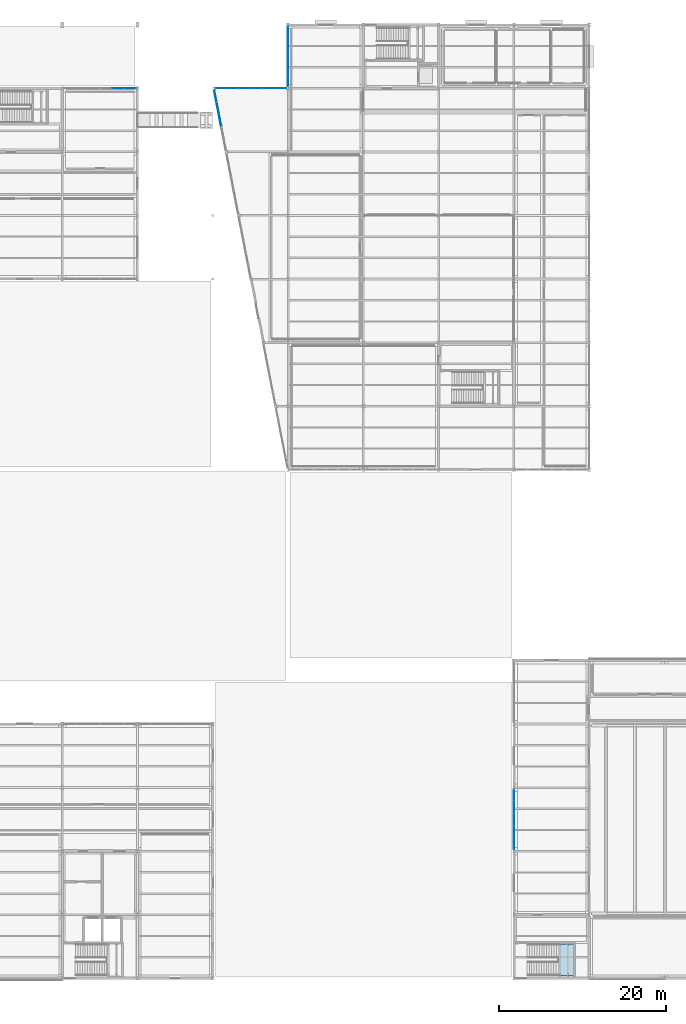
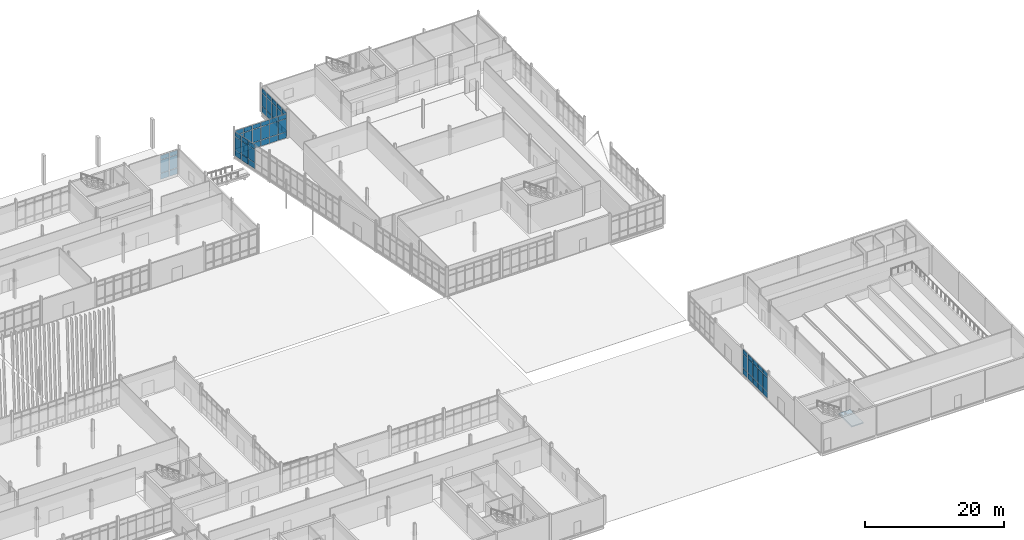
# One storey, part 131 of 161: 63 plates, 1 slab, 6 elements without a shape of their own.
"""IFC4 building model written with IfcOpenShell, lengths in metres."""

from ifc_helpers import new_model, si_unit, direction, frame, origin, origin_2d, place, context, subcontext, project, spatial, polyline, rectangle, outline, extrude, material, layer, layer_set, type_object, element, aggregate, save


model = new_model("IFC4")

# Units and contexts
model_context = context("Model", 3, precision=1e-05, world=origin(), true_north=direction((0.0, 1.0)))
body_context = subcontext(model_context, "Body", "Model", "MODEL_VIEW")
ifc_project = project(units=[si_unit("LENGTHUNIT", "METRE"), si_unit("AREAUNIT", "SQUARE_METRE"), si_unit("VOLUMEUNIT", "CUBIC_METRE"), si_unit("PLANEANGLEUNIT", "RADIAN"), si_unit("MASSUNIT", "GRAM", prefix="KILO")], contexts=[model_context])

# Site, building, storey
site_placement = place(None, origin())
site = spatial("IfcSite", under=ifc_project, at=site_placement, CompositionType="ELEMENT")
building_placement = place(site_placement, origin())
building = spatial("IfcBuilding", under=site, at=building_placement, Name="Caisbarro Railhouse Central Library", CompositionType="ELEMENT")
storey_placement = place(building_placement, origin())
storey = spatial("IfcBuildingStorey", under=building, at=storey_placement, Name="L00", CompositionType="ELEMENT", Elevation=0.0)

# Curtain wall, plates
ifc_material_1 = material(Name="Anodised architectural aluminium", Category="aluminium")
curtain_wall_type_1 = type_object("IfcCurtainWallType", Name="CW-CW01", PredefinedType="NOTDEFINED", material=ifc_material_1)
curtain_wall_1_placement = place(storey_placement, origin())
curtain_wall_1 = element("IfcCurtainWall", 1, at=curtain_wall_1_placement, inside=storey, type_object=curtain_wall_type_1, Name="CW01 curtain wall L00 #86", PredefinedType="NOTDEFINED")
ifc_material_2 = material(Name="Double low-e laminated solar-control glass", Category="glass")
ifc_layer_1 = layer(ifc_material_2, 0.0380859375, Name="Double low-e laminated solar-control glass")
ifc_layer_set_1 = layer_set([ifc_layer_1], Name="Double low-e laminated solar-control glass")
plate_type_1 = type_object("IfcPlateType", Name="CWP-CP38", PredefinedType="CURTAIN_PANEL", material=ifc_layer_set_1)
plate_1_placement = place(storey_placement, frame((144.0, 16.106689453125, 0.0751953125), z_axis=(0.0, 0.0, 1.0), x_axis=(0.0, 1.0, 0.0)))
plate_1 = element("IfcPlate", 2, at=plate_1_placement, type_object=plate_type_1, Name="CW01 panel 1.1", PredefinedType="CURTAIN_PANEL", context=body_context, shape_type="SweptSolid", body=[
    extrude(rectangle(XDim=1.343505859375, YDim=0.0380859375, at=origin_2d()), origin(), (0.0, 0.0, 1.0), 1.007568359375),
])
plate_2_placement = place(storey_placement, frame((144.0, 16.106689453125, 1.1572265625), z_axis=(0.0, 0.0, 1.0), x_axis=(0.0, 1.0, 0.0)))
plate_2 = element("IfcPlate", 3, at=plate_2_placement, type_object=plate_type_1, Name="CW01 panel 1.2", PredefinedType="CURTAIN_PANEL", context=body_context, shape_type="SweptSolid", body=[
    extrude(rectangle(XDim=1.343505859375, YDim=0.0380859375, at=origin_2d()), origin(), (0.0, 0.0, 1.0), 2.445068359375),
])
plate_3_placement = place(storey_placement, frame((144.0, 16.106689453125, 3.67724609375), z_axis=(0.0, 0.0, 1.0), x_axis=(0.0, 1.0, 0.0)))
plate_3 = element("IfcPlate", 4, at=plate_3_placement, type_object=plate_type_1, Name="CW01 panel 1.3", PredefinedType="CURTAIN_PANEL", context=body_context, shape_type="SweptSolid", body=[
    extrude(rectangle(XDim=1.343505859375, YDim=0.0380859375, at=origin_2d()), origin(), (0.0, 0.0, 1.0), 0.737548828125),
])
plate_4_placement = place(storey_placement, frame((144.0, 17.5439453125, 0.0751953125), z_axis=(0.0, 0.0, 1.0), x_axis=(0.0, 1.0, 0.0)))
plate_4 = element("IfcPlate", 5, at=plate_4_placement, type_object=plate_type_1, Name="CW01 panel 2.1", PredefinedType="CURTAIN_PANEL", context=body_context, shape_type="SweptSolid", body=[
    extrude(rectangle(XDim=1.381103515625, YDim=0.0380859375, at=origin_2d()), origin(), (0.0, 0.0, 1.0), 1.007568359375),
])
plate_5_placement = place(storey_placement, frame((144.0, 17.5439453125, 1.1572265625), z_axis=(0.0, 0.0, 1.0), x_axis=(0.0, 1.0, 0.0)))
plate_5 = element("IfcPlate", 6, at=plate_5_placement, type_object=plate_type_1, Name="CW01 panel 2.2", PredefinedType="CURTAIN_PANEL", context=body_context, shape_type="SweptSolid", body=[
    extrude(rectangle(XDim=1.381103515625, YDim=0.0380859375, at=origin_2d()), origin(), (0.0, 0.0, 1.0), 2.445068359375),
])
plate_6_placement = place(storey_placement, frame((144.0, 17.5439453125, 3.67724609375), z_axis=(0.0, 0.0, 1.0), x_axis=(0.0, 1.0, 0.0)))
plate_6 = element("IfcPlate", 7, at=plate_6_placement, type_object=plate_type_1, Name="CW01 panel 2.3", PredefinedType="CURTAIN_PANEL", context=body_context, shape_type="SweptSolid", body=[
    extrude(rectangle(XDim=1.381103515625, YDim=0.0380859375, at=origin_2d()), origin(), (0.0, 0.0, 1.0), 0.737548828125),
])
plate_7_placement = place(storey_placement, frame((144.0, 19.0, 0.0751953125), z_axis=(0.0, 0.0, 1.0), x_axis=(0.0, 1.0, 0.0)))
plate_7 = element("IfcPlate", 8, at=plate_7_placement, type_object=plate_type_1, Name="CW01 panel 3.1", PredefinedType="CURTAIN_PANEL", context=body_context, shape_type="SweptSolid", body=[
    extrude(rectangle(XDim=1.381103515625, YDim=0.0380859375, at=origin_2d()), origin(), (0.0, 0.0, 1.0), 1.007568359375),
])
plate_8_placement = place(storey_placement, frame((144.0, 19.0, 1.1572265625), z_axis=(0.0, 0.0, 1.0), x_axis=(0.0, 1.0, 0.0)))
plate_8 = element("IfcPlate", 9, at=plate_8_placement, type_object=plate_type_1, Name="CW01 panel 3.2", PredefinedType="CURTAIN_PANEL", context=body_context, shape_type="SweptSolid", body=[
    extrude(rectangle(XDim=1.381103515625, YDim=0.0380859375, at=origin_2d()), origin(), (0.0, 0.0, 1.0), 2.445068359375),
])
plate_9_placement = place(storey_placement, frame((144.0, 19.0, 3.67724609375), z_axis=(0.0, 0.0, 1.0), x_axis=(0.0, 1.0, 0.0)))
plate_9 = element("IfcPlate", 10, at=plate_9_placement, type_object=plate_type_1, Name="CW01 panel 3.3", PredefinedType="CURTAIN_PANEL", context=body_context, shape_type="SweptSolid", body=[
    extrude(rectangle(XDim=1.381103515625, YDim=0.0380859375, at=origin_2d()), origin(), (0.0, 0.0, 1.0), 0.737548828125),
])
plate_10_placement = place(storey_placement, frame((144.0, 20.4560546875, 0.0751953125), z_axis=(0.0, 0.0, 1.0), x_axis=(0.0, 1.0, 0.0)))
plate_10 = element("IfcPlate", 11, at=plate_10_placement, type_object=plate_type_1, Name="CW01 panel 4.1", PredefinedType="CURTAIN_PANEL", context=body_context, shape_type="SweptSolid", body=[
    extrude(rectangle(XDim=1.381103515625, YDim=0.0380859375, at=origin_2d()), origin(), (0.0, 0.0, 1.0), 1.007568359375),
])
plate_11_placement = place(storey_placement, frame((144.0, 20.4560546875, 1.1572265625), z_axis=(0.0, 0.0, 1.0), x_axis=(0.0, 1.0, 0.0)))
plate_11 = element("IfcPlate", 12, at=plate_11_placement, type_object=plate_type_1, Name="CW01 panel 4.2", PredefinedType="CURTAIN_PANEL", context=body_context, shape_type="SweptSolid", body=[
    extrude(rectangle(XDim=1.381103515625, YDim=0.0380859375, at=origin_2d()), origin(), (0.0, 0.0, 1.0), 2.445068359375),
])
plate_12_placement = place(storey_placement, frame((144.0, 20.4560546875, 3.67724609375), z_axis=(0.0, 0.0, 1.0), x_axis=(0.0, 1.0, 0.0)))
plate_12 = element("IfcPlate", 13, at=plate_12_placement, type_object=plate_type_1, Name="CW01 panel 4.3", PredefinedType="CURTAIN_PANEL", context=body_context, shape_type="SweptSolid", body=[
    extrude(rectangle(XDim=1.381103515625, YDim=0.0380859375, at=origin_2d()), origin(), (0.0, 0.0, 1.0), 0.737548828125),
])
plate_13_placement = place(storey_placement, frame((144.0, 21.893310546875, 0.0751953125), z_axis=(0.0, 0.0, 1.0), x_axis=(0.0, 1.0, 0.0)))
plate_13 = element("IfcPlate", 14, at=plate_13_placement, type_object=plate_type_1, Name="CW01 panel 5.1", PredefinedType="CURTAIN_PANEL", context=body_context, shape_type="SweptSolid", body=[
    extrude(rectangle(XDim=1.343505859375, YDim=0.0380859375, at=origin_2d()), origin(), (0.0, 0.0, 1.0), 1.007568359375),
])
plate_14_placement = place(storey_placement, frame((144.0, 21.893310546875, 1.1572265625), z_axis=(0.0, 0.0, 1.0), x_axis=(0.0, 1.0, 0.0)))
plate_14 = element("IfcPlate", 15, at=plate_14_placement, type_object=plate_type_1, Name="CW01 panel 5.2", PredefinedType="CURTAIN_PANEL", context=body_context, shape_type="SweptSolid", body=[
    extrude(rectangle(XDim=1.343505859375, YDim=0.0380859375, at=origin_2d()), origin(), (0.0, 0.0, 1.0), 2.445068359375),
])
plate_15_placement = place(storey_placement, frame((144.0, 21.893310546875, 3.67724609375), z_axis=(0.0, 0.0, 1.0), x_axis=(0.0, 1.0, 0.0)))
plate_15 = element("IfcPlate", 16, at=plate_15_placement, type_object=plate_type_1, Name="CW01 panel 5.3", PredefinedType="CURTAIN_PANEL", context=body_context, shape_type="SweptSolid", body=[
    extrude(rectangle(XDim=1.343505859375, YDim=0.0380859375, at=origin_2d()), origin(), (0.0, 0.0, 1.0), 0.737548828125),
])
aggregate(curtain_wall_1, [plate_1, plate_2, plate_3, plate_4, plate_5, plate_6, plate_7, plate_8, plate_9, plate_10, plate_11, plate_12, plate_13, plate_14, plate_15])

curtain_wall_type_2 = type_object("IfcCurtainWallType", Name="CW-CW03", PredefinedType="NOTDEFINED", material=ifc_material_1)
curtain_wall_2_placement = place(storey_placement, origin())
curtain_wall_2 = element("IfcCurtainWall", 17, at=curtain_wall_2_placement, inside=storey, type_object=curtain_wall_type_2, Name="CW03 curtain wall L00 #101", PredefinedType="NOTDEFINED")
plate_16_placement = place(storey_placement, frame((109.024169921875, 106.39990234375, 0.06494140625), z_axis=(0.0, 0.0, 1.0), x_axis=(1.0, 0.0, 0.0)))
plate_16 = element("IfcPlate", 18, at=plate_16_placement, type_object=plate_type_1, Name="CW03 panel 1.1", PredefinedType="CURTAIN_PANEL", context=body_context, shape_type="SweptSolid", body=[
    extrude(rectangle(XDim=1.326416015625, YDim=0.0380859375, at=origin_2d()), origin(), (0.0, 0.0, 1.0), 1.0224609375),
])
plate_17_placement = place(storey_placement, frame((109.024169921875, 106.39990234375, 1.15234375), z_axis=(0.0, 0.0, 1.0), x_axis=(1.0, 0.0, 0.0)))
plate_17 = element("IfcPlate", 19, at=plate_17_placement, type_object=plate_type_1, Name="CW03 panel 1.2", PredefinedType="CURTAIN_PANEL", context=body_context, shape_type="SweptSolid", body=[
    extrude(rectangle(XDim=1.326416015625, YDim=0.0380859375, at=origin_2d()), origin(), (0.0, 0.0, 1.0), 2.264892578125),
])
plate_18_placement = place(storey_placement, frame((109.024169921875, 106.39990234375, 3.482421875), z_axis=(0.0, 0.0, 1.0), x_axis=(1.0, 0.0, 0.0)))
plate_18 = element("IfcPlate", 20, at=plate_18_placement, type_object=plate_type_1, Name="CW03 panel 1.3", PredefinedType="CURTAIN_PANEL", context=body_context, shape_type="SweptSolid", body=[
    extrude(rectangle(XDim=1.326416015625, YDim=0.0380859375, at=origin_2d()), origin(), (0.0, 0.0, 1.0), 0.75244140625),
])
plate_19_placement = place(storey_placement, frame((110.431884765625, 106.39990234375, 0.06494140625), z_axis=(0.0, 0.0, 1.0), x_axis=(1.0, 0.0, 0.0)))
plate_19 = element("IfcPlate", 21, at=plate_19_placement, type_object=plate_type_1, Name="CW03 panel 2.1", PredefinedType="CURTAIN_PANEL", context=body_context, shape_type="SweptSolid", body=[
    extrude(rectangle(XDim=1.35888671875, YDim=0.0380859375, at=origin_2d()), origin(), (0.0, 0.0, 1.0), 1.0224609375),
])
plate_20_placement = place(storey_placement, frame((110.431884765625, 106.39990234375, 1.15234375), z_axis=(0.0, 0.0, 1.0), x_axis=(1.0, 0.0, 0.0)))
plate_20 = element("IfcPlate", 22, at=plate_20_placement, type_object=plate_type_1, Name="CW03 panel 2.2", PredefinedType="CURTAIN_PANEL", context=body_context, shape_type="SweptSolid", body=[
    extrude(rectangle(XDim=1.35888671875, YDim=0.0380859375, at=origin_2d()), origin(), (0.0, 0.0, 1.0), 2.264892578125),
])
plate_21_placement = place(storey_placement, frame((110.431884765625, 106.39990234375, 3.482421875), z_axis=(0.0, 0.0, 1.0), x_axis=(1.0, 0.0, 0.0)))
plate_21 = element("IfcPlate", 23, at=plate_21_placement, type_object=plate_type_1, Name="CW03 panel 2.3", PredefinedType="CURTAIN_PANEL", context=body_context, shape_type="SweptSolid", body=[
    extrude(rectangle(XDim=1.35888671875, YDim=0.0380859375, at=origin_2d()), origin(), (0.0, 0.0, 1.0), 0.75244140625),
])
plate_22_placement = place(storey_placement, frame((111.85595703125, 106.39990234375, 0.06494140625), z_axis=(0.0, 0.0, 1.0), x_axis=(1.0, 0.0, 0.0)))
plate_22 = element("IfcPlate", 24, at=plate_22_placement, type_object=plate_type_1, Name="CW03 panel 3.1", PredefinedType="CURTAIN_PANEL", context=body_context, shape_type="SweptSolid", body=[
    extrude(rectangle(XDim=1.35888671875, YDim=0.0380859375, at=origin_2d()), origin(), (0.0, 0.0, 1.0), 1.0224609375),
])
plate_23_placement = place(storey_placement, frame((111.85595703125, 106.39990234375, 1.15234375), z_axis=(0.0, 0.0, 1.0), x_axis=(1.0, 0.0, 0.0)))
plate_23 = element("IfcPlate", 25, at=plate_23_placement, type_object=plate_type_1, Name="CW03 panel 3.2", PredefinedType="CURTAIN_PANEL", context=body_context, shape_type="SweptSolid", body=[
    extrude(rectangle(XDim=1.35888671875, YDim=0.0380859375, at=origin_2d()), origin(), (0.0, 0.0, 1.0), 2.264892578125),
])
plate_24_placement = place(storey_placement, frame((111.85595703125, 106.39990234375, 3.482421875), z_axis=(0.0, 0.0, 1.0), x_axis=(1.0, 0.0, 0.0)))
plate_24 = element("IfcPlate", 26, at=plate_24_placement, type_object=plate_type_1, Name="CW03 panel 3.3", PredefinedType="CURTAIN_PANEL", context=body_context, shape_type="SweptSolid", body=[
    extrude(rectangle(XDim=1.35888671875, YDim=0.0380859375, at=origin_2d()), origin(), (0.0, 0.0, 1.0), 0.75244140625),
])
plate_25_placement = place(storey_placement, frame((113.280029296875, 106.39990234375, 0.06494140625), z_axis=(0.0, 0.0, 1.0), x_axis=(1.0, 0.0, 0.0)))
plate_25 = element("IfcPlate", 27, at=plate_25_placement, type_object=plate_type_1, Name="CW03 panel 4.1", PredefinedType="CURTAIN_PANEL", context=body_context, shape_type="SweptSolid", body=[
    extrude(rectangle(XDim=1.35888671875, YDim=0.0380859375, at=origin_2d()), origin(), (0.0, 0.0, 1.0), 1.0224609375),
])
plate_26_placement = place(storey_placement, frame((113.280029296875, 106.39990234375, 1.15234375), z_axis=(0.0, 0.0, 1.0), x_axis=(1.0, 0.0, 0.0)))
plate_26 = element("IfcPlate", 28, at=plate_26_placement, type_object=plate_type_1, Name="CW03 panel 4.2", PredefinedType="CURTAIN_PANEL", context=body_context, shape_type="SweptSolid", body=[
    extrude(rectangle(XDim=1.35888671875, YDim=0.0380859375, at=origin_2d()), origin(), (0.0, 0.0, 1.0), 2.264892578125),
])
plate_27_placement = place(storey_placement, frame((113.280029296875, 106.39990234375, 3.482421875), z_axis=(0.0, 0.0, 1.0), x_axis=(1.0, 0.0, 0.0)))
plate_27 = element("IfcPlate", 29, at=plate_27_placement, type_object=plate_type_1, Name="CW03 panel 4.3", PredefinedType="CURTAIN_PANEL", context=body_context, shape_type="SweptSolid", body=[
    extrude(rectangle(XDim=1.35888671875, YDim=0.0380859375, at=origin_2d()), origin(), (0.0, 0.0, 1.0), 0.75244140625),
])
plate_28_placement = place(storey_placement, frame((114.7041015625, 106.39990234375, 0.06494140625), z_axis=(0.0, 0.0, 1.0), x_axis=(1.0, 0.0, 0.0)))
plate_28 = element("IfcPlate", 30, at=plate_28_placement, type_object=plate_type_1, Name="CW03 panel 5.1", PredefinedType="CURTAIN_PANEL", context=body_context, shape_type="SweptSolid", body=[
    extrude(rectangle(XDim=1.35888671875, YDim=0.0380859375, at=origin_2d()), origin(), (0.0, 0.0, 1.0), 1.0224609375),
])
plate_29_placement = place(storey_placement, frame((114.7041015625, 106.39990234375, 1.15234375), z_axis=(0.0, 0.0, 1.0), x_axis=(1.0, 0.0, 0.0)))
plate_29 = element("IfcPlate", 31, at=plate_29_placement, type_object=plate_type_1, Name="CW03 panel 5.2", PredefinedType="CURTAIN_PANEL", context=body_context, shape_type="SweptSolid", body=[
    extrude(rectangle(XDim=1.35888671875, YDim=0.0380859375, at=origin_2d()), origin(), (0.0, 0.0, 1.0), 2.264892578125),
])
plate_30_placement = place(storey_placement, frame((114.7041015625, 106.39990234375, 3.482421875), z_axis=(0.0, 0.0, 1.0), x_axis=(1.0, 0.0, 0.0)))
plate_30 = element("IfcPlate", 32, at=plate_30_placement, type_object=plate_type_1, Name="CW03 panel 5.3", PredefinedType="CURTAIN_PANEL", context=body_context, shape_type="SweptSolid", body=[
    extrude(rectangle(XDim=1.35888671875, YDim=0.0380859375, at=origin_2d()), origin(), (0.0, 0.0, 1.0), 0.75244140625),
])
plate_31_placement = place(storey_placement, frame((116.11181640625, 106.39990234375, 0.06494140625), z_axis=(0.0, 0.0, 1.0), x_axis=(1.0, 0.0, 0.0)))
plate_31 = element("IfcPlate", 33, at=plate_31_placement, type_object=plate_type_1, Name="CW03 panel 6.1", PredefinedType="CURTAIN_PANEL", context=body_context, shape_type="SweptSolid", body=[
    extrude(rectangle(XDim=1.326416015625, YDim=0.0380859375, at=origin_2d()), origin(), (0.0, 0.0, 1.0), 1.0224609375),
])
plate_32_placement = place(storey_placement, frame((116.11181640625, 106.39990234375, 1.15234375), z_axis=(0.0, 0.0, 1.0), x_axis=(1.0, 0.0, 0.0)))
plate_32 = element("IfcPlate", 34, at=plate_32_placement, type_object=plate_type_1, Name="CW03 panel 6.2", PredefinedType="CURTAIN_PANEL", context=body_context, shape_type="SweptSolid", body=[
    extrude(rectangle(XDim=1.326416015625, YDim=0.0380859375, at=origin_2d()), origin(), (0.0, 0.0, 1.0), 2.264892578125),
])
plate_33_placement = place(storey_placement, frame((116.11181640625, 106.39990234375, 3.482421875), z_axis=(0.0, 0.0, 1.0), x_axis=(1.0, 0.0, 0.0)))
plate_33 = element("IfcPlate", 35, at=plate_33_placement, type_object=plate_type_1, Name="CW03 panel 6.3", PredefinedType="CURTAIN_PANEL", context=body_context, shape_type="SweptSolid", body=[
    extrude(rectangle(XDim=1.326416015625, YDim=0.0380859375, at=origin_2d()), origin(), (0.0, 0.0, 1.0), 0.75244140625),
])
aggregate(curtain_wall_2, [plate_16, plate_17, plate_18, plate_19, plate_20, plate_21, plate_22, plate_23, plate_24, plate_25, plate_26, plate_27, plate_28, plate_29, plate_30, plate_31, plate_32, plate_33])

curtain_wall_3_placement = place(storey_placement, origin())
curtain_wall_3 = element("IfcCurtainWall", 36, at=curtain_wall_3_placement, inside=storey, type_object=curtain_wall_type_2, Name="CW03 curtain wall L00 #102", PredefinedType="NOTDEFINED")
plate_34_placement = place(storey_placement, frame((117.0, 107.30419921875, 0.06494140625), z_axis=(0.0, 0.0, 1.0), x_axis=(0.0, 1.0, 0.0)))
plate_34 = element("IfcPlate", 37, at=plate_34_placement, type_object=plate_type_1, Name="CW03 panel 1.1", PredefinedType="CURTAIN_PANEL", context=body_context, shape_type="SweptSolid", body=[
    extrude(rectangle(XDim=1.3583984375, YDim=0.0380859375, at=origin_2d()), origin(), (0.0, 0.0, 1.0), 1.0224609375),
])
plate_35_placement = place(storey_placement, frame((117.0, 107.30419921875, 1.15234375), z_axis=(0.0, 0.0, 1.0), x_axis=(0.0, 1.0, 0.0)))
plate_35 = element("IfcPlate", 38, at=plate_35_placement, type_object=plate_type_1, Name="CW03 panel 1.2", PredefinedType="CURTAIN_PANEL", context=body_context, shape_type="SweptSolid", body=[
    extrude(rectangle(XDim=1.3583984375, YDim=0.0380859375, at=origin_2d()), origin(), (0.0, 0.0, 1.0), 2.264892578125),
])
plate_36_placement = place(storey_placement, frame((117.0, 107.30419921875, 3.482421875), z_axis=(0.0, 0.0, 1.0), x_axis=(0.0, 1.0, 0.0)))
plate_36 = element("IfcPlate", 39, at=plate_36_placement, type_object=plate_type_1, Name="CW03 panel 1.3", PredefinedType="CURTAIN_PANEL", context=body_context, shape_type="SweptSolid", body=[
    extrude(rectangle(XDim=1.3583984375, YDim=0.0380859375, at=origin_2d()), origin(), (0.0, 0.0, 1.0), 0.75244140625),
])
plate_37_placement = place(storey_placement, frame((117.0, 108.743896484375, 0.06494140625), z_axis=(0.0, 0.0, 1.0), x_axis=(0.0, 1.0, 0.0)))
plate_37 = element("IfcPlate", 40, at=plate_37_placement, type_object=plate_type_1, Name="CW03 panel 2.1", PredefinedType="CURTAIN_PANEL", context=body_context, shape_type="SweptSolid", body=[
    extrude(rectangle(XDim=1.39111328125, YDim=0.0380859375, at=origin_2d()), origin(), (0.0, 0.0, 1.0), 1.0224609375),
])
plate_38_placement = place(storey_placement, frame((117.0, 108.743896484375, 1.15234375), z_axis=(0.0, 0.0, 1.0), x_axis=(0.0, 1.0, 0.0)))
plate_38 = element("IfcPlate", 41, at=plate_38_placement, type_object=plate_type_1, Name="CW03 panel 2.2", PredefinedType="CURTAIN_PANEL", context=body_context, shape_type="SweptSolid", body=[
    extrude(rectangle(XDim=1.39111328125, YDim=0.0380859375, at=origin_2d()), origin(), (0.0, 0.0, 1.0), 2.264892578125),
])
plate_39_placement = place(storey_placement, frame((117.0, 108.743896484375, 3.482421875), z_axis=(0.0, 0.0, 1.0), x_axis=(0.0, 1.0, 0.0)))
plate_39 = element("IfcPlate", 42, at=plate_39_placement, type_object=plate_type_1, Name="CW03 panel 2.3", PredefinedType="CURTAIN_PANEL", context=body_context, shape_type="SweptSolid", body=[
    extrude(rectangle(XDim=1.39111328125, YDim=0.0380859375, at=origin_2d()), origin(), (0.0, 0.0, 1.0), 0.75244140625),
])
plate_40_placement = place(storey_placement, frame((117.0, 110.199951171875, 0.06494140625), z_axis=(0.0, 0.0, 1.0), x_axis=(0.0, 1.0, 0.0)))
plate_40 = element("IfcPlate", 43, at=plate_40_placement, type_object=plate_type_1, Name="CW03 panel 3.1", PredefinedType="CURTAIN_PANEL", context=body_context, shape_type="SweptSolid", body=[
    extrude(rectangle(XDim=1.39111328125, YDim=0.0380859375, at=origin_2d()), origin(), (0.0, 0.0, 1.0), 1.0224609375),
])
plate_41_placement = place(storey_placement, frame((117.0, 110.199951171875, 1.15234375), z_axis=(0.0, 0.0, 1.0), x_axis=(0.0, 1.0, 0.0)))
plate_41 = element("IfcPlate", 44, at=plate_41_placement, type_object=plate_type_1, Name="CW03 panel 3.2", PredefinedType="CURTAIN_PANEL", context=body_context, shape_type="SweptSolid", body=[
    extrude(rectangle(XDim=1.39111328125, YDim=0.0380859375, at=origin_2d()), origin(), (0.0, 0.0, 1.0), 2.264892578125),
])
plate_42_placement = place(storey_placement, frame((117.0, 110.199951171875, 3.482421875), z_axis=(0.0, 0.0, 1.0), x_axis=(0.0, 1.0, 0.0)))
plate_42 = element("IfcPlate", 45, at=plate_42_placement, type_object=plate_type_1, Name="CW03 panel 3.3", PredefinedType="CURTAIN_PANEL", context=body_context, shape_type="SweptSolid", body=[
    extrude(rectangle(XDim=1.39111328125, YDim=0.0380859375, at=origin_2d()), origin(), (0.0, 0.0, 1.0), 0.75244140625),
])
plate_43_placement = place(storey_placement, frame((117.0, 111.656005859375, 0.06494140625), z_axis=(0.0, 0.0, 1.0), x_axis=(0.0, 1.0, 0.0)))
plate_43 = element("IfcPlate", 46, at=plate_43_placement, type_object=plate_type_1, Name="CW03 panel 4.1", PredefinedType="CURTAIN_PANEL", context=body_context, shape_type="SweptSolid", body=[
    extrude(rectangle(XDim=1.39111328125, YDim=0.0380859375, at=origin_2d()), origin(), (0.0, 0.0, 1.0), 1.0224609375),
])
plate_44_placement = place(storey_placement, frame((117.0, 111.656005859375, 1.15234375), z_axis=(0.0, 0.0, 1.0), x_axis=(0.0, 1.0, 0.0)))
plate_44 = element("IfcPlate", 47, at=plate_44_placement, type_object=plate_type_1, Name="CW03 panel 4.2", PredefinedType="CURTAIN_PANEL", context=body_context, shape_type="SweptSolid", body=[
    extrude(rectangle(XDim=1.39111328125, YDim=0.0380859375, at=origin_2d()), origin(), (0.0, 0.0, 1.0), 2.264892578125),
])
plate_45_placement = place(storey_placement, frame((117.0, 111.656005859375, 3.482421875), z_axis=(0.0, 0.0, 1.0), x_axis=(0.0, 1.0, 0.0)))
plate_45 = element("IfcPlate", 48, at=plate_45_placement, type_object=plate_type_1, Name="CW03 panel 4.3", PredefinedType="CURTAIN_PANEL", context=body_context, shape_type="SweptSolid", body=[
    extrude(rectangle(XDim=1.39111328125, YDim=0.0380859375, at=origin_2d()), origin(), (0.0, 0.0, 1.0), 0.75244140625),
])
plate_46_placement = place(storey_placement, frame((117.0, 113.095703125, 0.06494140625), z_axis=(0.0, 0.0, 1.0), x_axis=(0.0, 1.0, 0.0)))
plate_46 = element("IfcPlate", 49, at=plate_46_placement, type_object=plate_type_1, Name="CW03 panel 5.1", PredefinedType="CURTAIN_PANEL", context=body_context, shape_type="SweptSolid", body=[
    extrude(rectangle(XDim=1.3583984375, YDim=0.0380859375, at=origin_2d()), origin(), (0.0, 0.0, 1.0), 1.0224609375),
])
plate_47_placement = place(storey_placement, frame((117.0, 113.095703125, 1.15234375), z_axis=(0.0, 0.0, 1.0), x_axis=(0.0, 1.0, 0.0)))
plate_47 = element("IfcPlate", 50, at=plate_47_placement, type_object=plate_type_1, Name="CW03 panel 5.2", PredefinedType="CURTAIN_PANEL", context=body_context, shape_type="SweptSolid", body=[
    extrude(rectangle(XDim=1.3583984375, YDim=0.0380859375, at=origin_2d()), origin(), (0.0, 0.0, 1.0), 2.264892578125),
])
plate_48_placement = place(storey_placement, frame((117.0, 113.095703125, 3.482421875), z_axis=(0.0, 0.0, 1.0), x_axis=(0.0, 1.0, 0.0)))
plate_48 = element("IfcPlate", 51, at=plate_48_placement, type_object=plate_type_1, Name="CW03 panel 5.3", PredefinedType="CURTAIN_PANEL", context=body_context, shape_type="SweptSolid", body=[
    extrude(rectangle(XDim=1.3583984375, YDim=0.0380859375, at=origin_2d()), origin(), (0.0, 0.0, 1.0), 0.75244140625),
])
aggregate(curtain_wall_3, [plate_34, plate_35, plate_36, plate_37, plate_38, plate_39, plate_40, plate_41, plate_42, plate_43, plate_44, plate_45, plate_46, plate_47, plate_48])

curtain_wall_4_placement = place(storey_placement, origin())
curtain_wall_4 = element("IfcCurtainWall", 52, at=curtain_wall_4_placement, inside=storey, type_object=curtain_wall_type_2, Name="CW03 curtain wall L00 #171", PredefinedType="NOTDEFINED")
plate_49_placement = place(storey_placement, frame((96.669921875, 106.39990234375, 0.0751953125), z_axis=(0.0, 0.0, 1.0), x_axis=(1.0, 0.0, 0.0)))
plate_49 = element("IfcPlate", 53, at=plate_49_placement, type_object=plate_type_1, Name="CW03 panel 5.1", PredefinedType="CURTAIN_PANEL", context=body_context, shape_type="SweptSolid", body=[
    extrude(rectangle(XDim=1.381591796875, YDim=0.0380859375, at=origin_2d()), origin(), (0.0, 0.0, 1.0), 1.007568359375),
])
plate_50_placement = place(storey_placement, frame((96.669921875, 106.39990234375, 1.157470703125), z_axis=(0.0, 0.0, 1.0), x_axis=(1.0, 0.0, 0.0)))
plate_50 = element("IfcPlate", 54, at=plate_50_placement, type_object=plate_type_1, Name="CW03 panel 5.2", PredefinedType="CURTAIN_PANEL", context=body_context, shape_type="SweptSolid", body=[
    extrude(rectangle(XDim=1.381591796875, YDim=0.0380859375, at=origin_2d()), origin(), (0.0, 0.0, 1.0), 2.2548828125),
])
plate_51_placement = place(storey_placement, frame((96.669921875, 106.39990234375, 3.4873046875), z_axis=(0.0, 0.0, 1.0), x_axis=(1.0, 0.0, 0.0)))
plate_51 = element("IfcPlate", 55, at=plate_51_placement, type_object=plate_type_1, Name="CW03 panel 5.3", PredefinedType="CURTAIN_PANEL", context=body_context, shape_type="SweptSolid", body=[
    extrude(rectangle(XDim=1.381591796875, YDim=0.0380859375, at=origin_2d()), origin(), (0.0, 0.0, 1.0), 0.737548828125),
])
plate_52_placement = place(storey_placement, frame((98.100341796875, 106.39990234375, 0.0751953125), z_axis=(0.0, 0.0, 1.0), x_axis=(1.0, 0.0, 0.0)))
plate_52 = element("IfcPlate", 56, at=plate_52_placement, type_object=plate_type_1, Name="CW03 panel 6.1", PredefinedType="CURTAIN_PANEL", context=body_context, shape_type="SweptSolid", body=[
    extrude(rectangle(XDim=1.34912109375, YDim=0.0380859375, at=origin_2d()), origin(), (0.0, 0.0, 1.0), 1.007568359375),
])
plate_53_placement = place(storey_placement, frame((98.100341796875, 106.39990234375, 1.157470703125), z_axis=(0.0, 0.0, 1.0), x_axis=(1.0, 0.0, 0.0)))
plate_53 = element("IfcPlate", 57, at=plate_53_placement, type_object=plate_type_1, Name="CW03 panel 6.2", PredefinedType="CURTAIN_PANEL", context=body_context, shape_type="SweptSolid", body=[
    extrude(rectangle(XDim=1.34912109375, YDim=0.0380859375, at=origin_2d()), origin(), (0.0, 0.0, 1.0), 2.2548828125),
])
plate_54_placement = place(storey_placement, frame((98.100341796875, 106.39990234375, 3.4873046875), z_axis=(0.0, 0.0, 1.0), x_axis=(1.0, 0.0, 0.0)))
plate_54 = element("IfcPlate", 58, at=plate_54_placement, type_object=plate_type_1, Name="CW03 panel 6.3", PredefinedType="CURTAIN_PANEL", context=body_context, shape_type="SweptSolid", body=[
    extrude(rectangle(XDim=1.34912109375, YDim=0.0380859375, at=origin_2d()), origin(), (0.0, 0.0, 1.0), 0.737548828125),
])
aggregate(curtain_wall_4, [plate_49, plate_50, plate_51, plate_52, plate_53, plate_54])

curtain_wall_5_placement = place(storey_placement, origin())
curtain_wall_5 = element("IfcCurtainWall", 59, at=curtain_wall_5_placement, inside=storey, type_object=curtain_wall_type_1, Name="CW01 curtain wall L00 #100", PredefinedType="NOTDEFINED")
ifc_layer_2 = layer(ifc_material_2, 0.068115234375, Name="Double low-e laminated solar-control glass")
ifc_layer_set_2 = layer_set([ifc_layer_2], Name="Double low-e laminated solar-control glass")
plate_type_2 = type_object("IfcPlateType", Name="CWP-CP68", PredefinedType="CURTAIN_PANEL", material=ifc_layer_set_2)
plate_55_placement = place(storey_placement, frame((108.875, 102.60009765625, 0.06494140625), z_axis=(0.0, 0.0, 1.0), x_axis=(-0.190910768765, 0.98160739523, 0.0)))
plate_55 = element("IfcPlate", 60, at=plate_55_placement, type_object=plate_type_2, Name="CW01 panel 3.1", PredefinedType="CURTAIN_PANEL", context=body_context, shape_type="SweptSolid", body=[
    extrude(rectangle(XDim=1.409423828125, YDim=0.068115234375, at=origin_2d()), origin(), (0.0, 0.0, 1.0), 1.0224609375),
])
plate_56_placement = place(storey_placement, frame((108.875, 102.60009765625, 1.15234375), z_axis=(0.0, 0.0, 1.0), x_axis=(-0.190910768765, 0.98160739523, 0.0)))
plate_56 = element("IfcPlate", 61, at=plate_56_placement, type_object=plate_type_2, Name="CW01 panel 3.2", PredefinedType="CURTAIN_PANEL", context=body_context, shape_type="SweptSolid", body=[
    extrude(rectangle(XDim=1.409423828125, YDim=0.068115234375, at=origin_2d()), origin(), (0.0, 0.0, 1.0), 2.264892578125),
])
plate_57_placement = place(storey_placement, frame((108.875, 102.60009765625, 3.482421875), z_axis=(0.0, 0.0, 1.0), x_axis=(-0.190910768765, 0.98160739523, 0.0)))
plate_57 = element("IfcPlate", 62, at=plate_57_placement, type_object=plate_type_2, Name="CW01 panel 3.3", PredefinedType="CURTAIN_PANEL", context=body_context, shape_type="SweptSolid", body=[
    extrude(rectangle(XDim=1.409423828125, YDim=0.068115234375, at=origin_2d()), origin(), (0.0, 0.0, 1.0), 0.75244140625),
])
plate_58_placement = place(storey_placement, frame((108.591552734375, 104.05712890625, 0.06494140625), z_axis=(0.0, 0.0, 1.0), x_axis=(-0.190910768765, 0.98160739523, 0.0)))
plate_58 = element("IfcPlate", 63, at=plate_58_placement, type_object=plate_type_2, Name="CW01 panel 4.1", PredefinedType="CURTAIN_PANEL", context=body_context, shape_type="SweptSolid", body=[
    extrude(rectangle(XDim=1.409423828125, YDim=0.068115234375, at=origin_2d()), origin(), (0.0, 0.0, 1.0), 1.0224609375),
])
plate_59_placement = place(storey_placement, frame((108.591552734375, 104.05712890625, 1.15234375), z_axis=(0.0, 0.0, 1.0), x_axis=(-0.190910768765, 0.98160739523, 0.0)))
plate_59 = element("IfcPlate", 64, at=plate_59_placement, type_object=plate_type_2, Name="CW01 panel 4.2", PredefinedType="CURTAIN_PANEL", context=body_context, shape_type="SweptSolid", body=[
    extrude(rectangle(XDim=1.409423828125, YDim=0.068115234375, at=origin_2d()), origin(), (0.0, 0.0, 1.0), 2.264892578125),
])
plate_60_placement = place(storey_placement, frame((108.591552734375, 104.05712890625, 3.482421875), z_axis=(0.0, 0.0, 1.0), x_axis=(-0.190910768765, 0.98160739523, 0.0)))
plate_60 = element("IfcPlate", 65, at=plate_60_placement, type_object=plate_type_2, Name="CW01 panel 4.3", PredefinedType="CURTAIN_PANEL", context=body_context, shape_type="SweptSolid", body=[
    extrude(rectangle(XDim=1.409423828125, YDim=0.068115234375, at=origin_2d()), origin(), (0.0, 0.0, 1.0), 0.75244140625),
])
plate_61_placement = place(storey_placement, frame((108.311767578125, 105.495849609375, 0.06494140625), z_axis=(0.0, 0.0, 1.0), x_axis=(-0.190910768765, 0.98160739523, 0.0)))
plate_61 = element("IfcPlate", 66, at=plate_61_placement, type_object=plate_type_2, Name="CW01 panel 5.1", PredefinedType="CURTAIN_PANEL", context=body_context, shape_type="SweptSolid", body=[
    extrude(rectangle(XDim=1.3720703125, YDim=0.068115234375, at=origin_2d()), origin(), (0.0, 0.0, 1.0), 1.0224609375),
])
plate_62_placement = place(storey_placement, frame((108.311767578125, 105.495849609375, 1.15234375), z_axis=(0.0, 0.0, 1.0), x_axis=(-0.190910768765, 0.98160739523, 0.0)))
plate_62 = element("IfcPlate", 67, at=plate_62_placement, type_object=plate_type_2, Name="CW01 panel 5.2", PredefinedType="CURTAIN_PANEL", context=body_context, shape_type="SweptSolid", body=[
    extrude(rectangle(XDim=1.3720703125, YDim=0.068115234375, at=origin_2d()), origin(), (0.0, 0.0, 1.0), 2.264892578125),
])
plate_63_placement = place(storey_placement, frame((108.311767578125, 105.495849609375, 3.482421875), z_axis=(0.0, 0.0, 1.0), x_axis=(-0.190910768765, 0.98160739523, 0.0)))
plate_63 = element("IfcPlate", 68, at=plate_63_placement, type_object=plate_type_2, Name="CW01 panel 5.3", PredefinedType="CURTAIN_PANEL", context=body_context, shape_type="SweptSolid", body=[
    extrude(rectangle(XDim=1.3720703125, YDim=0.068115234375, at=origin_2d()), origin(), (0.0, 0.0, 1.0), 0.75244140625),
])
aggregate(curtain_wall_5, [plate_55, plate_56, plate_57, plate_58, plate_59, plate_60, plate_61, plate_62, plate_63])

# Stair, slab
ifc_material_3 = material(Name="Concrete C35", Category="concrete")
stair_type = type_object("IfcStairType", Name="STR-ST50", PredefinedType="HALF_TURN_STAIR", material=ifc_material_3)
stair_placement = place(storey_placement, origin())
stair = element("IfcStair", 69, at=stair_placement, inside=storey, type_object=stair_type, Name="Protected Stair ST-09 (L00)", PredefinedType="HALF_TURN_STAIR")
ifc_layer_3 = layer(ifc_material_3, 0.18994140625, Name="Concrete C35")
ifc_layer_set_3 = layer_set([ifc_layer_3], Name="Concrete C35")
slab_type = type_object("IfcSlabType", Name="SLB-LND19", PredefinedType="LANDING", material=ifc_layer_set_3)
slab_placement = place(storey_placement, frame((0.0, 0.0, 2.330078125)))
slab = element("IfcSlab", 70, at=slab_placement, type_object=slab_type, Name="ST-09 landing 1", PredefinedType="LANDING", context=body_context, shape_type="SweptSolid", body=[
    extrude(outline(polyline([(149.199951171875, 0.340087890625), (151.1201171875, 0.340087890625), (151.1201171875, 4.110107421875), (149.199951171875, 4.110107421875), (149.199951171875, 0.340087890625)])), origin(), (0.0, 0.0, 1.0), 0.18994140625),
])
aggregate(stair, [slab])

save(model, "model.ifc")
